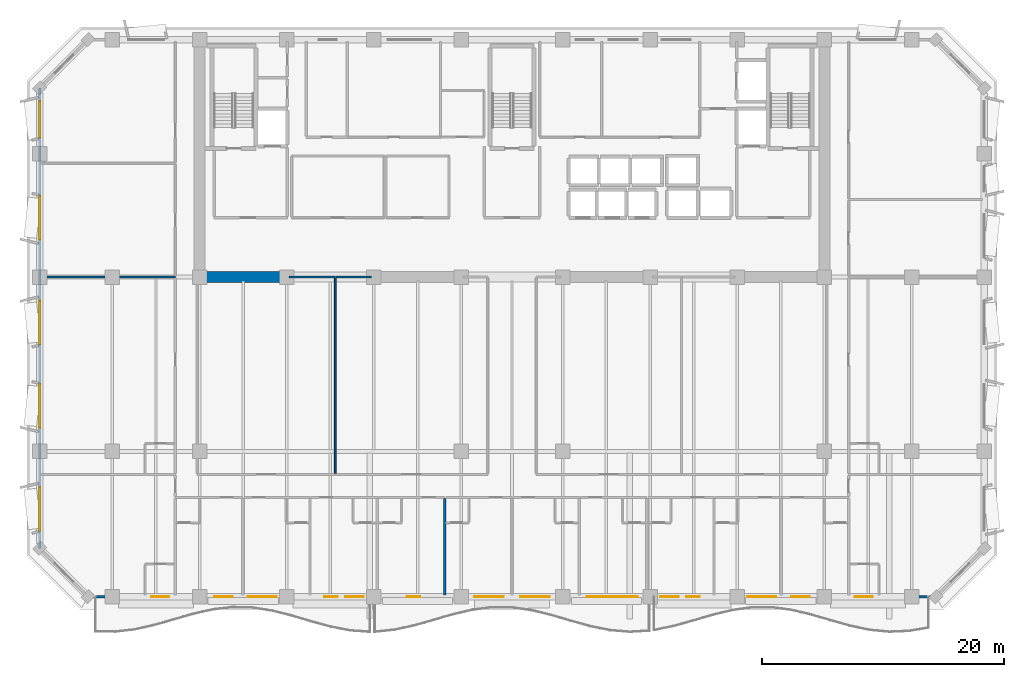
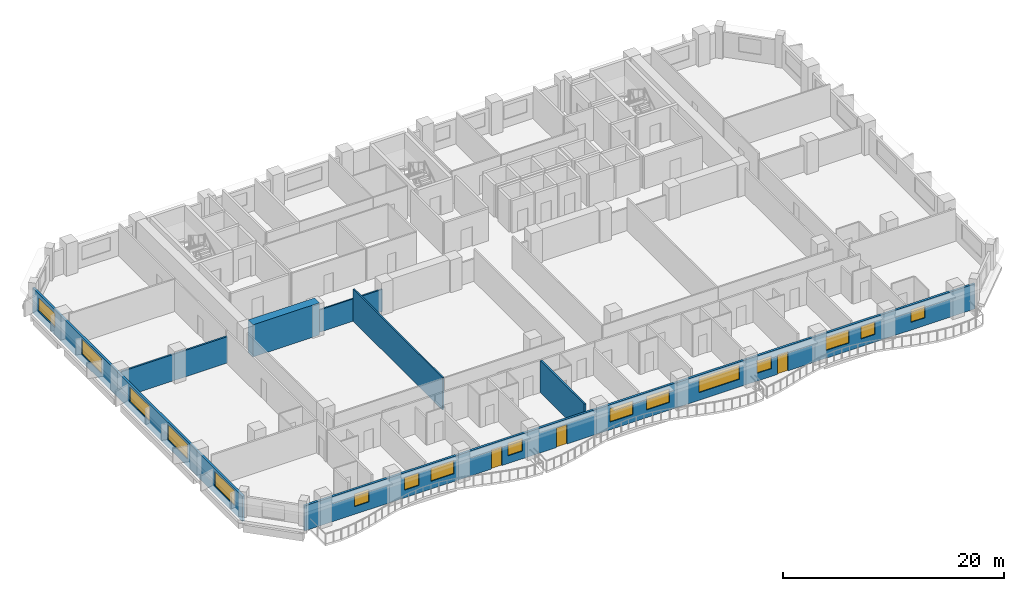
# One storey, part 5 of 15: 16 windows, 8 walls, 3 doors, 19 openings.
"""IFC4 building model written with IfcOpenShell, lengths in metres."""

import ifcopenshell
import ifcopenshell.guid

model = None  # the IFC model being written
_history = None  # IfcOwnerHistory: only IFC2X3 demands one
_inside = {}  # id of a spatial element -> (the spatial element, [elements in it])
_under = {}  # id of a project, library or spatial element -> (it, [spatial elements below it])
_declared = {}  # id of a project -> (the project, [libraries it declares])
_typed = {}  # id of a type object -> (the type object, [elements of that type])
_made_of = {}  # id of a material, layer set ... -> (it, [elements and type objects made of it])


def new_model(schema):
    """Start an empty IFC model of exactly this schema.

    Asked for "IFC4X3", IfcOpenShell would pick the latest addendum, in which some entities
    have other attributes; the version numbers below select the first issue.
    IFC2X3 requires an IfcOwnerHistory on every rooted entity: one is made here for all.
    """
    global model, _history
    if schema == "IFC4X3":
        model = ifcopenshell.file(schema_version=(4, 3, 0, 0))
    else:
        model = ifcopenshell.file(schema=schema)
    _inside.clear()
    _under.clear()
    _declared.clear()
    _typed.clear()
    _made_of.clear()
    _history = None
    if model.schema == "IFC2X3":
        org = make("IfcOrganization", Name="unknown")
        user = make(
            "IfcPersonAndOrganization",
            ThePerson=make("IfcPerson", FamilyName="unknown"),
            TheOrganization=org,
        )
        app = make(
            "IfcApplication",
            ApplicationDeveloper=org,
            Version="unknown",
            ApplicationFullName="unknown",
            ApplicationIdentifier="unknown",
        )
        _history = make(
            "IfcOwnerHistory",
            OwningUser=user,
            OwningApplication=app,
            ChangeAction="ADDED",
            CreationDate=0,
        )
    return model


def make(cls, **values):
    """One entity of the class cls with the attributes given. An attribute that is None is left unset."""
    return model.create_entity(
        cls, **{name: value for name, value in values.items() if value is not None}
    )


def rooted(cls, **values):
    """An entity with a GlobalId (a new one), such as an element, a storey or a relation."""
    return make(cls, GlobalId=ifcopenshell.guid.new(), OwnerHistory=_history, **values)


def si_unit(unit_type, name, prefix=None):
    """IfcSIUnit, for example si_unit("LENGTHUNIT", "METRE", prefix="MILLI")."""
    return make("IfcSIUnit", UnitType=unit_type, Prefix=prefix, Name=name)


def assignment(units):
    """IfcUnitAssignment: the units of a project."""
    return None if units is None else make("IfcUnitAssignment", Units=units)


def point(xyz):
    """IfcCartesianPoint."""
    return None if xyz is None else make("IfcCartesianPoint", Coordinates=xyz)


def direction(xyz):
    """IfcDirection."""
    return None if xyz is None else make("IfcDirection", DirectionRatios=xyz)


def frame(location, z_axis=None, x_axis=None):
    """IfcAxis2Placement3D, a coordinate frame: its origin and axes. An axis left out is left unset."""
    return make(
        "IfcAxis2Placement3D",
        Location=point(location),
        Axis=direction(z_axis),
        RefDirection=direction(x_axis),
    )


def frame_2d(location, x_axis=None):
    """IfcAxis2Placement2D, a coordinate frame in the plane: its origin and x axis."""
    return make(
        "IfcAxis2Placement2D", Location=point(location), RefDirection=direction(x_axis)
    )


def origin():
    """The frame at (0, 0, 0) with its axes left unset."""
    return frame((0.0, 0.0, 0.0))


def place(relative_to, where):
    """IfcLocalPlacement: puts the frame where relative to a parent placement (None: the world)."""
    return make(
        "IfcLocalPlacement", PlacementRelTo=relative_to, RelativePlacement=where
    )


def context(
    kind, dimensions, precision=None, world=None, true_north=None, identifier=None
):
    """IfcGeometricRepresentationContext, for example the 3D "Model" context."""
    return make(
        "IfcGeometricRepresentationContext",
        ContextIdentifier=identifier,
        ContextType=kind,
        CoordinateSpaceDimension=dimensions,
        Precision=precision,
        WorldCoordinateSystem=world,
        TrueNorth=true_north,
    )


def subcontext(parent, identifier, kind, view, scale=None):
    """IfcGeometricRepresentationSubContext, for example "Body" below "Model"."""
    return make(
        "IfcGeometricRepresentationSubContext",
        ContextIdentifier=identifier,
        ContextType=kind,
        ParentContext=parent,
        TargetScale=scale,
        TargetView=view,
    )


def project(units=None, contexts=None):
    """IfcProject with its units and contexts."""
    return rooted(
        "IfcProject",
        Name="project",
        RepresentationContexts=contexts,
        UnitsInContext=assignment(units),
    )


def spatial(cls, under=None, at=None, **own):
    """A site, building, storey or space (cls), placed at a placement, below another one or the project."""
    s = rooted(cls, ObjectPlacement=at, **own)
    if under is not None:
        _under.setdefault(under.id(), (under, []))[1].append(s)
    return s


def profile(cls, at=None, kind="AREA", **sizes):
    """A parametric profile (cls). Its sizes go by their IFC names, for example OverallWidth=200.0."""
    return make(cls, ProfileType=kind, Position=at, **sizes)


def rectangle(**sizes):
    """IfcRectangleProfileDef."""
    return profile("IfcRectangleProfileDef", **sizes)


def extrude(swept, where, along, depth):
    """IfcExtrudedAreaSolid: the profile swept, set in the frame where, extruded along a direction by depth."""
    return make(
        "IfcExtrudedAreaSolid",
        SweptArea=swept,
        Position=where,
        ExtrudedDirection=direction(along),
        Depth=depth,
    )


def shape(context_of_items, identifier, shape_type, items):
    """IfcShapeRepresentation: the items that make up one representation, for example the "Body"."""
    return make(
        "IfcShapeRepresentation",
        ContextOfItems=context_of_items,
        RepresentationIdentifier=identifier,
        RepresentationType=shape_type,
        Items=items,
    )


def material(Name=None, Category=None):
    """IfcMaterial."""
    return make("IfcMaterial", Name=Name, Category=Category)


def layer(
    of_material, thickness, ventilated=None, Name=None, Category=None, Priority=None
):
    """IfcMaterialLayer: one layer of a wall or slab, of a material (None: an air gap)."""
    return make(
        "IfcMaterialLayer",
        Material=of_material,
        LayerThickness=thickness,
        IsVentilated=ventilated,
        Name=Name,
        Category=Category,
        Priority=Priority,
    )


def layer_set(layers, Name=None):
    """IfcMaterialLayerSet."""
    return make("IfcMaterialLayerSet", MaterialLayers=layers, LayerSetName=Name)


def made_of(thing, what):
    """Note that an element or type object is made of a material, layer set ...; save() writes the relation."""
    if what is not None:
        _made_of.setdefault(what.id(), (what, []))[1].append(thing)
    return thing


def type_object(cls, material=None, **own):
    """A type object (cls), such as IfcWallType, which elements share."""
    return made_of(rooted(cls, **own), material)


def element(
    cls,
    number,
    at=None,
    inside=None,
    cuts=None,
    type_object=None,
    material=None,
    context=None,
    identifier="Body",
    shape_type=None,
    held_by="IfcProductDefinitionShape",
    body=None,
    shapes=None,
    **own,
):
    """One element of the class cls, such as IfcWall. Its Tag is "e" and its number.

    at: its placement. inside: the storey or other place that contains it. cuts: it is an
    opening in that element (IfcRelVoidsElement). A single representation is given by context,
    identifier, shape_type and body (its items); several are given by shapes. held_by: the class
    of the entity that holds the representations. save() writes the other relations.
    """
    e = rooted(cls, Tag="e%d" % number, ObjectPlacement=at, **own)
    if body is not None:
        shapes = [shape(context, identifier, shape_type, body)]
    if shapes is not None:
        e.Representation = make(held_by, Representations=shapes)
    if inside is not None:
        _inside.setdefault(inside.id(), (inside, []))[1].append(e)
    if cuts is not None:
        rooted(
            "IfcRelVoidsElement", RelatingBuildingElement=cuts, RelatedOpeningElement=e
        )
    if type_object is not None:
        _typed.setdefault(type_object.id(), (type_object, []))[1].append(e)
    return made_of(e, material)


def fill(opening, filler):
    """IfcRelFillsElement: the door or window that sits in an opening."""
    return rooted(
        "IfcRelFillsElement",
        RelatingOpeningElement=opening,
        RelatedBuildingElement=filler,
    )


def aggregate(whole, parts):
    """IfcRelAggregates: a whole, such as a stair, and the parts it consists of."""
    return rooted("IfcRelAggregates", RelatingObject=whole, RelatedObjects=parts)


def save(model, path):
    """Write the relations noted so far, then the file.

    IfcRelAggregates (storeys below a building ...), IfcRelContainedInSpatialStructure (elements
    in a storey), IfcRelDefinesByType, IfcRelAssociatesMaterial and IfcRelDeclares: one each for
    every whole, place, type object, material and project.
    """
    for whole, parts in _under.values():
        aggregate(whole, parts)
    for where, things in _inside.values():
        rooted(
            "IfcRelContainedInSpatialStructure",
            RelatedElements=things,
            RelatingStructure=where,
        )
    for kind, things in _typed.values():
        rooted("IfcRelDefinesByType", RelatedObjects=things, RelatingType=kind)
    for what, things in _made_of.values():
        rooted("IfcRelAssociatesMaterial", RelatedObjects=things, RelatingMaterial=what)
    for by, libraries in _declared.values():
        rooted("IfcRelDeclares", RelatingContext=by, RelatedDefinitions=libraries)
    model.write(path)


model = new_model("IFC4")

# Units and contexts
model_context = context("Model", 3, precision=1e-05, world=origin(), true_north=direction((0.0, 1.0)))
body_context = subcontext(model_context, "Body", "Model", "MODEL_VIEW")
ifc_project = project(units=[si_unit("LENGTHUNIT", "METRE"), si_unit("AREAUNIT", "SQUARE_METRE"), si_unit("VOLUMEUNIT", "CUBIC_METRE"), si_unit("PLANEANGLEUNIT", "RADIAN"), si_unit("MASSUNIT", "GRAM", prefix="KILO")], contexts=[model_context])

# Site, building, storey
site_placement = place(None, origin())
site = spatial("IfcSite", under=ifc_project, at=site_placement, CompositionType="ELEMENT")
building_placement = place(site_placement, origin())
building = spatial("IfcBuilding", under=site, at=building_placement, Name="Kaelvorn Grand Hotel", CompositionType="ELEMENT")
storey_placement = place(building_placement, frame((0.0, 0.0, 146.75)))
storey = spatial("IfcBuildingStorey", under=building, at=storey_placement, Name="L35", CompositionType="ELEMENT", Elevation=146.75)

# Wall
ifc_material_1 = material(Name="Concrete C60/75", Category="concrete")
ifc_layer_1 = layer(ifc_material_1, 0.89990234375)
ifc_layer_set_1 = layer_set([ifc_layer_1], Name="Concrete C60/75")
wall_type_1 = type_object("IfcWallType", Name="WL-CORE-900-C60", PredefinedType="SHEAR", material=ifc_layer_set_1)
wall_1_placement = place(storey_placement, frame((16.655029296875, 29.39990234375, 0.0), z_axis=(0.0, 0.0, 1.0), x_axis=(1.0, 0.0, 0.0)))
element("IfcWall", 1, at=wall_1_placement, inside=storey, type_object=wall_type_1, Name="L35 Rear-Core Coupled Shear Pier S1", PredefinedType="SHEAR", context=body_context, shape_type="SweptSolid", body=[
    extrude(rectangle(XDim=6.945068359375, YDim=0.89990234375, at=frame_2d((3.47265625, 0.0))), origin(), (0.0, 0.0, 1.0), 3.56005859375),
])

# Wall, openings, doors, windows
ifc_material_2 = material(Name="Concrete C40/50", Category="concrete")
ifc_layer_2 = layer(ifc_material_2, 0.239990234375)
ifc_layer_set_2 = layer_set([ifc_layer_2], Name="Concrete C40/50")
wall_type_2 = type_object("IfcWallType", Name="WL-EXT-240-C40", PredefinedType="SOLIDWALL", material=ifc_layer_set_2)
wall_2_placement = place(storey_placement, frame((7.0, 3.0, 0.0), z_axis=(0.0, 0.0, 1.0), x_axis=(1.0, 0.0, 0.0)))
wall_2 = element("IfcWall", 2, at=wall_2_placement, inside=storey, type_object=wall_type_2, Name="L35 Exterior Architectural Concrete Wall 01", PredefinedType="SOLIDWALL", context=body_context, shape_type="SweptSolid", body=[
    extrude(rectangle(XDim=70.0, YDim=0.239990234375, at=frame_2d((35.0, 0.0))), origin(), (0.0, 0.0, 1.0), 2.760009765625),
])
opening_1_placement = place(wall_2_placement, frame((19.5166015625, 0.0, 0.0)))
opening_1 = element("IfcOpeningElement", 3, at=opening_1_placement, cuts=wall_2, Name="Opening DE2", PredefinedType="OPENING", context=body_context, shape_type="SweptSolid", body=[
    extrude(rectangle(XDim=1.10009765625, YDim=2.14990234375, at=frame_2d((0.550048828125, 1.074951171875))), frame((0.0, 0.1298828125, 0.0), z_axis=(0.0, -1.0, 0.0), x_axis=(1.0, 0.0, 0.0)), (0.0, 0.0, 1.0), 0.260009765625),
])
opening_2_placement = place(wall_2_placement, frame((26.316650390625, 0.0, 0.0)))
opening_2 = element("IfcOpeningElement", 4, at=opening_2_placement, cuts=wall_2, Name="Opening DE2", PredefinedType="OPENING", context=body_context, shape_type="SweptSolid", body=[
    extrude(rectangle(XDim=1.10009765625, YDim=2.14990234375, at=frame_2d((0.550048828125, 1.074951171875))), frame((0.0, 0.1298828125, 0.0), z_axis=(0.0, -1.0, 0.0), x_axis=(1.0, 0.0, 0.0)), (0.0, 0.0, 1.0), 0.260009765625),
])
opening_3_placement = place(wall_2_placement, frame((49.38330078125, 0.0, 0.0)))
opening_3 = element("IfcOpeningElement", 5, at=opening_3_placement, cuts=wall_2, Name="Opening DE2", PredefinedType="OPENING", context=body_context, shape_type="SweptSolid", body=[
    extrude(rectangle(XDim=1.10009765625, YDim=2.14990234375, at=frame_2d((0.550048828125, 1.074951171875))), frame((0.0, 0.1298828125, 0.0), z_axis=(0.0, -1.0, 0.0), x_axis=(1.0, 0.0, 0.0)), (0.0, 0.0, 1.0), 0.260009765625),
])
opening_4_placement = place(wall_2_placement, frame((5.199951171875, 0.0, 0.85009765625)))
opening_4 = element("IfcOpeningElement", 6, at=opening_4_placement, cuts=wall_2, Name="Opening W10", PredefinedType="OPENING", context=body_context, shape_type="SweptSolid", body=[
    extrude(rectangle(XDim=1.5, YDim=1.39990234375, at=frame_2d((0.75, 0.699951171875))), frame((0.0, 0.1298828125, 0.0), z_axis=(0.0, -1.0, 0.0), x_axis=(1.0, 0.0, 0.0)), (0.0, 0.0, 1.0), 0.260009765625),
])
opening_5_placement = place(wall_2_placement, frame((10.429931640625, 0.0, 0.85009765625)))
opening_5 = element("IfcOpeningElement", 7, at=opening_5_placement, cuts=wall_2, Name="Opening W10", PredefinedType="OPENING", context=body_context, shape_type="SweptSolid", body=[
    extrude(rectangle(XDim=1.5, YDim=1.39990234375, at=frame_2d((0.75, 0.699951171875))), frame((0.0, 0.1298828125, 0.0), z_axis=(0.0, -1.0, 0.0), x_axis=(1.0, 0.0, 0.0)), (0.0, 0.0, 1.0), 0.260009765625),
])
opening_6_placement = place(wall_2_placement, frame((13.179931640625, 0.0, 0.85009765625)))
opening_6 = element("IfcOpeningElement", 8, at=opening_6_placement, cuts=wall_2, Name="Opening W6", PredefinedType="OPENING", context=body_context, shape_type="SweptSolid", body=[
    extrude(rectangle(XDim=2.39990234375, YDim=1.5, at=frame_2d((1.199951171875, 0.75))), frame((0.0, 0.1298828125, 0.0), z_axis=(0.0, -1.0, 0.0), x_axis=(1.0, 0.0, 0.0)), (0.0, 0.0, 1.0), 0.260009765625),
])
opening_7_placement = place(wall_2_placement, frame((21.243408203125, 0.0, 0.85009765625)))
opening_7 = element("IfcOpeningElement", 9, at=opening_7_placement, cuts=wall_2, Name="Opening W10", PredefinedType="OPENING", context=body_context, shape_type="SweptSolid", body=[
    extrude(rectangle(XDim=1.5, YDim=1.39990234375, at=frame_2d((0.75, 0.699951171875))), frame((0.0, 0.1298828125, 0.0), z_axis=(0.0, -1.0, 0.0), x_axis=(1.0, 0.0, 0.0)), (0.0, 0.0, 1.0), 0.260009765625),
])
opening_8_placement = place(wall_2_placement, frame((31.89990234375, 0.0, 0.85009765625)))
opening_8 = element("IfcOpeningElement", 10, at=opening_8_placement, cuts=wall_2, Name="Opening W6", PredefinedType="OPENING", context=body_context, shape_type="SweptSolid", body=[
    extrude(rectangle(XDim=2.39990234375, YDim=1.5, at=frame_2d((1.199951171875, 0.75))), frame((0.0, 0.1298828125, 0.0), z_axis=(0.0, -1.0, 0.0), x_axis=(1.0, 0.0, 0.0)), (0.0, 0.0, 1.0), 0.260009765625),
])
opening_9_placement = place(wall_2_placement, frame((35.699951171875, 0.0, 0.85009765625)))
opening_9 = element("IfcOpeningElement", 11, at=opening_9_placement, cuts=wall_2, Name="Opening W6", PredefinedType="OPENING", context=body_context, shape_type="SweptSolid", body=[
    extrude(rectangle(XDim=2.39990234375, YDim=1.5, at=frame_2d((1.199951171875, 0.75))), frame((0.0, 0.1298828125, 0.0), z_axis=(0.0, -1.0, 0.0), x_axis=(1.0, 0.0, 0.0)), (0.0, 0.0, 1.0), 0.260009765625),
])
opening_10_placement = place(wall_2_placement, frame((41.179931640625, 0.0, 0.85009765625)))
opening_10 = element("IfcOpeningElement", 12, at=opening_10_placement, cuts=wall_2, Name="Opening W2", PredefinedType="OPENING", context=body_context, shape_type="SweptSolid", body=[
    extrude(rectangle(XDim=4.199951171875, YDim=1.64990234375, at=frame_2d((2.10009765625, 0.824951171875))), frame((0.0, 0.1298828125, 0.0), z_axis=(0.0, -1.0, 0.0), x_axis=(1.0, 0.0, 0.0)), (0.0, 0.0, 1.0), 0.260009765625),
])
opening_11_placement = place(wall_2_placement, frame((47.256591796875, 0.0, 0.85009765625)))
opening_11 = element("IfcOpeningElement", 13, at=opening_11_placement, cuts=wall_2, Name="Opening W10", PredefinedType="OPENING", context=body_context, shape_type="SweptSolid", body=[
    extrude(rectangle(XDim=1.5, YDim=1.39990234375, at=frame_2d((0.75, 0.699951171875))), frame((0.0, 0.1298828125, 0.0), z_axis=(0.0, -1.0, 0.0), x_axis=(1.0, 0.0, 0.0)), (0.0, 0.0, 1.0), 0.260009765625),
])
opening_12_placement = place(wall_2_placement, frame((54.419921875, 0.0, 0.85009765625)))
opening_12 = element("IfcOpeningElement", 14, at=opening_12_placement, cuts=wall_2, Name="Opening W6", PredefinedType="OPENING", context=body_context, shape_type="SweptSolid", body=[
    extrude(rectangle(XDim=2.39990234375, YDim=1.5, at=frame_2d((1.199951171875, 0.75))), frame((0.0, 0.1298828125, 0.0), z_axis=(0.0, -1.0, 0.0), x_axis=(1.0, 0.0, 0.0)), (0.0, 0.0, 1.0), 0.260009765625),
])
opening_13_placement = place(wall_2_placement, frame((58.070068359375, 0.0, 0.85009765625)))
opening_13 = element("IfcOpeningElement", 15, at=opening_13_placement, cuts=wall_2, Name="Opening W10", PredefinedType="OPENING", context=body_context, shape_type="SweptSolid", body=[
    extrude(rectangle(XDim=1.5, YDim=1.39990234375, at=frame_2d((0.75, 0.699951171875))), frame((0.0, 0.1298828125, 0.0), z_axis=(0.0, -1.0, 0.0), x_axis=(1.0, 0.0, 0.0)), (0.0, 0.0, 1.0), 0.260009765625),
])
opening_14_placement = place(wall_2_placement, frame((63.300048828125, 0.0, 0.85009765625)))
opening_14 = element("IfcOpeningElement", 16, at=opening_14_placement, cuts=wall_2, Name="Opening W10", PredefinedType="OPENING", context=body_context, shape_type="SweptSolid", body=[
    extrude(rectangle(XDim=1.5, YDim=1.39990234375, at=frame_2d((0.75, 0.699951171875))), frame((0.0, 0.1298828125, 0.0), z_axis=(0.0, -1.0, 0.0), x_axis=(1.0, 0.0, 0.0)), (0.0, 0.0, 1.0), 0.260009765625),
])
ifc_material_3 = material(Name="Anodised Aluminium", Category="aluminium")
door_type = type_object("IfcDoorType", Name="DR-EXT-BALC-1100x2150", OperationType="NOTDEFINED", PredefinedType="DOOR", material=ifc_material_3)
door_1_placement = place(opening_1_placement, origin())
door_1 = element("IfcDoor", 17, at=door_1_placement, inside=storey, type_object=door_type, Name="L35 Scalloped Balcony Glazed Door DE2-1", OperationType="SINGLE_SWING_LEFT", OverallHeight=2.14990234375, OverallWidth=1.10009765625, PredefinedType="DOOR", context=body_context, shape_type="SweptSolid", body=[
    extrude(rectangle(XDim=1.10009765625, YDim=2.14990234375, at=frame_2d((0.550048828125, 1.074951171875))), frame((0.0, 0.02490234375, 0.0), z_axis=(0.0, -1.0, 0.0), x_axis=(1.0, 0.0, 0.0)), (0.0, 0.0, 1.0), 0.050048828125),
])
fill(opening_1, door_1)
door_2_placement = place(opening_2_placement, origin())
door_2 = element("IfcDoor", 18, at=door_2_placement, inside=storey, type_object=door_type, Name="L35 Scalloped Balcony Glazed Door DE2-2", OperationType="SINGLE_SWING_RIGHT", OverallHeight=2.14990234375, OverallWidth=1.10009765625, PredefinedType="DOOR", context=body_context, shape_type="SweptSolid", body=[
    extrude(rectangle(XDim=1.10009765625, YDim=2.14990234375, at=frame_2d((0.550048828125, 1.074951171875))), frame((0.0, 0.02490234375, 0.0), z_axis=(0.0, -1.0, 0.0), x_axis=(1.0, 0.0, 0.0)), (0.0, 0.0, 1.0), 0.050048828125),
])
fill(opening_2, door_2)
door_3_placement = place(opening_3_placement, origin())
door_3 = element("IfcDoor", 19, at=door_3_placement, inside=storey, type_object=door_type, Name="L35 Scalloped Balcony Glazed Door DE2-3", OperationType="SINGLE_SWING_LEFT", OverallHeight=2.14990234375, OverallWidth=1.10009765625, PredefinedType="DOOR", context=body_context, shape_type="SweptSolid", body=[
    extrude(rectangle(XDim=1.10009765625, YDim=2.14990234375, at=frame_2d((0.550048828125, 1.074951171875))), frame((0.0, 0.02490234375, 0.0), z_axis=(0.0, -1.0, 0.0), x_axis=(1.0, 0.0, 0.0)), (0.0, 0.0, 1.0), 0.050048828125),
])
fill(opening_3, door_3)
ifc_material_4 = material(Name="Laminated Low-E Glass", Category="glass")
window_type_1 = type_object("IfcWindowType", Name="WIN-COR-1500x1400", PartitioningType="SINGLE_PANEL", PredefinedType="WINDOW", material=ifc_material_4)
window_1_placement = place(opening_4_placement, origin())
window_1 = element("IfcWindow", 20, at=window_1_placement, inside=storey, type_object=window_type_1, Name="L35 South Guestroom Ribbon Window SR01", OverallHeight=1.39990234375, OverallWidth=1.5, PartitioningType="SINGLE_PANEL", PredefinedType="WINDOW", context=body_context, shape_type="SweptSolid", body=[
    extrude(rectangle(XDim=1.5, YDim=1.39990234375, at=frame_2d((0.75, 0.699951171875))), frame((0.0, 0.030029296875, 0.0), z_axis=(0.0, -1.0, 0.0), x_axis=(1.0, 0.0, 0.0)), (0.0, 0.0, 1.0), 0.06005859375),
])
fill(opening_4, window_1)
window_2_placement = place(opening_5_placement, origin())
window_2 = element("IfcWindow", 21, at=window_2_placement, inside=storey, type_object=window_type_1, Name="L35 South Guestroom Ribbon Window SR02", OverallHeight=1.39990234375, OverallWidth=1.5, PartitioningType="SINGLE_PANEL", PredefinedType="WINDOW", context=body_context, shape_type="SweptSolid", body=[
    extrude(rectangle(XDim=1.5, YDim=1.39990234375, at=frame_2d((0.75, 0.699951171875))), frame((0.0, 0.030029296875, 0.0), z_axis=(0.0, -1.0, 0.0), x_axis=(1.0, 0.0, 0.0)), (0.0, 0.0, 1.0), 0.06005859375),
])
fill(opening_5, window_2)
window_3_placement = place(opening_7_placement, origin())
window_3 = element("IfcWindow", 22, at=window_3_placement, inside=storey, type_object=window_type_1, Name="L35 South Guestroom Ribbon Window SR04", OverallHeight=1.39990234375, OverallWidth=1.5, PartitioningType="SINGLE_PANEL", PredefinedType="WINDOW", context=body_context, shape_type="SweptSolid", body=[
    extrude(rectangle(XDim=1.5, YDim=1.39990234375, at=frame_2d((0.75, 0.699951171875))), frame((0.0, 0.030029296875, 0.0), z_axis=(0.0, -1.0, 0.0), x_axis=(1.0, 0.0, 0.0)), (0.0, 0.0, 1.0), 0.06005859375),
])
fill(opening_7, window_3)
window_4_placement = place(opening_11_placement, origin())
window_4 = element("IfcWindow", 23, at=window_4_placement, inside=storey, type_object=window_type_1, Name="L35 South Guestroom Ribbon Window SR08", OverallHeight=1.39990234375, OverallWidth=1.5, PartitioningType="SINGLE_PANEL", PredefinedType="WINDOW", context=body_context, shape_type="SweptSolid", body=[
    extrude(rectangle(XDim=1.5, YDim=1.39990234375, at=frame_2d((0.75, 0.699951171875))), frame((0.0, 0.030029296875, 0.0), z_axis=(0.0, -1.0, 0.0), x_axis=(1.0, 0.0, 0.0)), (0.0, 0.0, 1.0), 0.06005859375),
])
fill(opening_11, window_4)
window_5_placement = place(opening_13_placement, origin())
window_5 = element("IfcWindow", 24, at=window_5_placement, inside=storey, type_object=window_type_1, Name="L35 South Guestroom Ribbon Window SR10", OverallHeight=1.39990234375, OverallWidth=1.5, PartitioningType="SINGLE_PANEL", PredefinedType="WINDOW", context=body_context, shape_type="SweptSolid", body=[
    extrude(rectangle(XDim=1.5, YDim=1.39990234375, at=frame_2d((0.75, 0.699951171875))), frame((0.0, 0.030029296875, 0.0), z_axis=(0.0, -1.0, 0.0), x_axis=(1.0, 0.0, 0.0)), (0.0, 0.0, 1.0), 0.06005859375),
])
fill(opening_13, window_5)
window_6_placement = place(opening_14_placement, origin())
window_6 = element("IfcWindow", 25, at=window_6_placement, inside=storey, type_object=window_type_1, Name="L35 South Guestroom Ribbon Window SR11", OverallHeight=1.39990234375, OverallWidth=1.5, PartitioningType="SINGLE_PANEL", PredefinedType="WINDOW", context=body_context, shape_type="SweptSolid", body=[
    extrude(rectangle(XDim=1.5, YDim=1.39990234375, at=frame_2d((0.75, 0.699951171875))), frame((0.0, 0.030029296875, 0.0), z_axis=(0.0, -1.0, 0.0), x_axis=(1.0, 0.0, 0.0)), (0.0, 0.0, 1.0), 0.06005859375),
])
fill(opening_14, window_6)
window_type_2 = type_object("IfcWindowType", Name="WIN-NTH-2400x1500", PartitioningType="SINGLE_PANEL", PredefinedType="WINDOW", material=ifc_material_4)
window_7_placement = place(opening_6_placement, origin())
window_7 = element("IfcWindow", 26, at=window_7_placement, inside=storey, type_object=window_type_2, Name="L35 South Guestroom Ribbon Window SR03", OverallHeight=1.5, OverallWidth=2.39990234375, PartitioningType="SINGLE_PANEL", PredefinedType="WINDOW", context=body_context, shape_type="SweptSolid", body=[
    extrude(rectangle(XDim=2.39990234375, YDim=1.5, at=frame_2d((1.199951171875, 0.75))), frame((0.0, 0.030029296875, 0.0), z_axis=(0.0, -1.0, 0.0), x_axis=(1.0, 0.0, 0.0)), (0.0, 0.0, 1.0), 0.06005859375),
])
fill(opening_6, window_7)
window_8_placement = place(opening_8_placement, origin())
window_8 = element("IfcWindow", 27, at=window_8_placement, inside=storey, type_object=window_type_2, Name="L35 South Guestroom Ribbon Window SR05", OverallHeight=1.5, OverallWidth=2.39990234375, PartitioningType="SINGLE_PANEL", PredefinedType="WINDOW", context=body_context, shape_type="SweptSolid", body=[
    extrude(rectangle(XDim=2.39990234375, YDim=1.5, at=frame_2d((1.199951171875, 0.75))), frame((0.0, 0.030029296875, 0.0), z_axis=(0.0, -1.0, 0.0), x_axis=(1.0, 0.0, 0.0)), (0.0, 0.0, 1.0), 0.06005859375),
])
fill(opening_8, window_8)
window_9_placement = place(opening_9_placement, origin())
window_9 = element("IfcWindow", 28, at=window_9_placement, inside=storey, type_object=window_type_2, Name="L35 South Guestroom Ribbon Window SR06", OverallHeight=1.5, OverallWidth=2.39990234375, PartitioningType="SINGLE_PANEL", PredefinedType="WINDOW", context=body_context, shape_type="SweptSolid", body=[
    extrude(rectangle(XDim=2.39990234375, YDim=1.5, at=frame_2d((1.199951171875, 0.75))), frame((0.0, 0.030029296875, 0.0), z_axis=(0.0, -1.0, 0.0), x_axis=(1.0, 0.0, 0.0)), (0.0, 0.0, 1.0), 0.06005859375),
])
fill(opening_9, window_9)
window_10_placement = place(opening_12_placement, origin())
window_10 = element("IfcWindow", 29, at=window_10_placement, inside=storey, type_object=window_type_2, Name="L35 South Guestroom Ribbon Window SR09", OverallHeight=1.5, OverallWidth=2.39990234375, PartitioningType="SINGLE_PANEL", PredefinedType="WINDOW", context=body_context, shape_type="SweptSolid", body=[
    extrude(rectangle(XDim=2.39990234375, YDim=1.5, at=frame_2d((1.199951171875, 0.75))), frame((0.0, 0.030029296875, 0.0), z_axis=(0.0, -1.0, 0.0), x_axis=(1.0, 0.0, 0.0)), (0.0, 0.0, 1.0), 0.06005859375),
])
fill(opening_12, window_10)
window_type_3 = type_object("IfcWindowType", Name="WIN-RIB-4200x1650", PartitioningType="SINGLE_PANEL", PredefinedType="WINDOW", material=ifc_material_4)
window_11_placement = place(opening_10_placement, origin())
window_11 = element("IfcWindow", 30, at=window_11_placement, inside=storey, type_object=window_type_3, Name="L35 South Guestroom Ribbon Window SR07", OverallHeight=1.64990234375, OverallWidth=4.199951171875, PartitioningType="SINGLE_PANEL", PredefinedType="WINDOW", context=body_context, shape_type="SweptSolid", body=[
    extrude(rectangle(XDim=4.199951171875, YDim=1.64990234375, at=frame_2d((2.10009765625, 0.824951171875))), frame((0.0, 0.030029296875, 0.0), z_axis=(0.0, -1.0, 0.0), x_axis=(1.0, 0.0, 0.0)), (0.0, 0.0, 1.0), 0.06005859375),
])
fill(opening_10, window_11)

# Wall, openings, windows
wall_3_placement = place(storey_placement, frame((3.0, 45.0, 0.0), z_axis=(0.0, 0.0, 1.0), x_axis=(0.0, -1.0, 0.0)))
wall_3 = element("IfcWall", 31, at=wall_3_placement, inside=storey, type_object=wall_type_2, Name="L35 Exterior Architectural Concrete Wall 07", PredefinedType="SOLIDWALL", context=body_context, shape_type="SweptSolid", body=[
    extrude(rectangle(XDim=38.0, YDim=0.239990234375, at=frame_2d((19.0, 0.0))), origin(), (0.0, 0.0, 1.0), 2.760009765625),
])
opening_15_placement = place(wall_3_placement, frame((32.949951171875, 0.0, 0.85009765625)))
opening_15 = element("IfcOpeningElement", 32, at=opening_15_placement, cuts=wall_3, Name="Opening W3", PredefinedType="OPENING", context=body_context, shape_type="SweptSolid", body=[
    extrude(rectangle(XDim=3.60009765625, YDim=1.64990234375, at=frame_2d((1.800048828125, 0.824951171875))), frame((0.0, 0.1298828125, 0.0), z_axis=(0.0, -1.0, 0.0), x_axis=(1.0, 0.0, 0.0)), (0.0, 0.0, 1.0), 0.260009765625),
])
opening_16_placement = place(wall_3_placement, frame((24.43505859375, 0.0, 0.85009765625)))
opening_16 = element("IfcOpeningElement", 33, at=opening_16_placement, cuts=wall_3, Name="Opening W3", PredefinedType="OPENING", context=body_context, shape_type="SweptSolid", body=[
    extrude(rectangle(XDim=3.60009765625, YDim=1.64990234375, at=frame_2d((1.800048828125, 0.824951171875))), frame((0.0, 0.1298828125, 0.0), z_axis=(0.0, -1.0, 0.0), x_axis=(1.0, 0.0, 0.0)), (0.0, 0.0, 1.0), 0.260009765625),
])
opening_17_placement = place(wall_3_placement, frame((17.56494140625, 0.0, 0.85009765625)))
opening_17 = element("IfcOpeningElement", 34, at=opening_17_placement, cuts=wall_3, Name="Opening W3", PredefinedType="OPENING", context=body_context, shape_type="SweptSolid", body=[
    extrude(rectangle(XDim=3.60009765625, YDim=1.64990234375, at=frame_2d((1.800048828125, 0.824951171875))), frame((0.0, 0.1298828125, 0.0), z_axis=(0.0, -1.0, 0.0), x_axis=(1.0, 0.0, 0.0)), (0.0, 0.0, 1.0), 0.260009765625),
])
opening_18_placement = place(wall_3_placement, frame((8.89990234375, 0.0, 0.85009765625)))
opening_18 = element("IfcOpeningElement", 35, at=opening_18_placement, cuts=wall_3, Name="Opening W3", PredefinedType="OPENING", context=body_context, shape_type="SweptSolid", body=[
    extrude(rectangle(XDim=3.60009765625, YDim=1.64990234375, at=frame_2d((1.800048828125, 0.824951171875))), frame((0.0, 0.1298828125, 0.0), z_axis=(0.0, -1.0, 0.0), x_axis=(1.0, 0.0, 0.0)), (0.0, 0.0, 1.0), 0.260009765625),
])
opening_19_placement = place(wall_3_placement, frame((1.0849609375, 0.0, 0.85009765625)))
opening_19 = element("IfcOpeningElement", 36, at=opening_19_placement, cuts=wall_3, Name="Opening W5", PredefinedType="OPENING", context=body_context, shape_type="SweptSolid", body=[
    extrude(rectangle(XDim=3.0, YDim=1.5, at=frame_2d((1.5, 0.75))), frame((0.0, 0.1298828125, 0.0), z_axis=(0.0, -1.0, 0.0), x_axis=(1.0, 0.0, 0.0)), (0.0, 0.0, 1.0), 0.260009765625),
])
window_type_4 = type_object("IfcWindowType", Name="WIN-NTH-3000x1500", PartitioningType="SINGLE_PANEL", PredefinedType="WINDOW", material=ifc_material_4)
window_12_placement = place(opening_19_placement, origin())
window_12 = element("IfcWindow", 37, at=window_12_placement, inside=storey, type_object=window_type_4, Name="L35 W Wing Tilted-Frame Ribbon Window W05", OverallHeight=1.5, OverallWidth=3.0, PartitioningType="SINGLE_PANEL", PredefinedType="WINDOW", context=body_context, shape_type="SweptSolid", body=[
    extrude(rectangle(XDim=3.0, YDim=1.5, at=frame_2d((1.5, 0.75))), frame((0.0, 0.030029296875, 0.0), z_axis=(0.0, -1.0, 0.0), x_axis=(1.0, 0.0, 0.0)), (0.0, 0.0, 1.0), 0.06005859375),
])
fill(opening_19, window_12)
window_type_5 = type_object("IfcWindowType", Name="WIN-RIB-3600x1750", PartitioningType="SINGLE_PANEL", PredefinedType="WINDOW", material=ifc_material_4)
window_13_placement = place(opening_15_placement, origin())
window_13 = element("IfcWindow", 38, at=window_13_placement, inside=storey, type_object=window_type_5, Name="L35 W Wing Tilted-Frame Ribbon Window W01", OverallHeight=1.64990234375, OverallWidth=3.60009765625, PartitioningType="SINGLE_PANEL", PredefinedType="WINDOW", context=body_context, shape_type="SweptSolid", body=[
    extrude(rectangle(XDim=3.60009765625, YDim=1.64990234375, at=frame_2d((1.800048828125, 0.824951171875))), frame((0.0, 0.030029296875, 0.0), z_axis=(0.0, -1.0, 0.0), x_axis=(1.0, 0.0, 0.0)), (0.0, 0.0, 1.0), 0.06005859375),
])
fill(opening_15, window_13)
window_14_placement = place(opening_16_placement, origin())
window_14 = element("IfcWindow", 39, at=window_14_placement, inside=storey, type_object=window_type_5, Name="L35 W Wing Tilted-Frame Ribbon Window W02", OverallHeight=1.64990234375, OverallWidth=3.60009765625, PartitioningType="SINGLE_PANEL", PredefinedType="WINDOW", context=body_context, shape_type="SweptSolid", body=[
    extrude(rectangle(XDim=3.60009765625, YDim=1.64990234375, at=frame_2d((1.800048828125, 0.824951171875))), frame((0.0, 0.030029296875, 0.0), z_axis=(0.0, -1.0, 0.0), x_axis=(1.0, 0.0, 0.0)), (0.0, 0.0, 1.0), 0.06005859375),
])
fill(opening_16, window_14)
window_15_placement = place(opening_17_placement, origin())
window_15 = element("IfcWindow", 40, at=window_15_placement, inside=storey, type_object=window_type_5, Name="L35 W Wing Tilted-Frame Ribbon Window W03", OverallHeight=1.64990234375, OverallWidth=3.60009765625, PartitioningType="SINGLE_PANEL", PredefinedType="WINDOW", context=body_context, shape_type="SweptSolid", body=[
    extrude(rectangle(XDim=3.60009765625, YDim=1.64990234375, at=frame_2d((1.800048828125, 0.824951171875))), frame((0.0, 0.030029296875, 0.0), z_axis=(0.0, -1.0, 0.0), x_axis=(1.0, 0.0, 0.0)), (0.0, 0.0, 1.0), 0.06005859375),
])
fill(opening_17, window_15)
window_16_placement = place(opening_18_placement, origin())
window_16 = element("IfcWindow", 41, at=window_16_placement, inside=storey, type_object=window_type_5, Name="L35 W Wing Tilted-Frame Ribbon Window W04", OverallHeight=1.64990234375, OverallWidth=3.60009765625, PartitioningType="SINGLE_PANEL", PredefinedType="WINDOW", context=body_context, shape_type="SweptSolid", body=[
    extrude(rectangle(XDim=3.60009765625, YDim=1.64990234375, at=frame_2d((1.800048828125, 0.824951171875))), frame((0.0, 0.030029296875, 0.0), z_axis=(0.0, -1.0, 0.0), x_axis=(1.0, 0.0, 0.0)), (0.0, 0.0, 1.0), 0.06005859375),
])
fill(opening_18, window_16)

# Walls
ifc_material_5 = material(Name="Acoustic Gypsum & Stud Partition")
ifc_layer_3 = layer(ifc_material_5, 0.14990234375)
ifc_layer_set_3 = layer_set([ifc_layer_3], Name="Acoustic Gypsum & Stud Partition")
wall_type_3 = type_object("IfcWallType", Name="WL-PART-150-EI60", PredefinedType="PARTITIONING", material=ifc_layer_set_3)
wall_4_placement = place(storey_placement, frame((23.610107421875, 29.39990234375, 0.0), z_axis=(0.0, 0.0, 1.0), x_axis=(1.0, 0.0, 0.0)))
element("IfcWall", 42, at=wall_4_placement, inside=storey, type_object=wall_type_3, Name="L35 Private Dining Restaurant N Partition", PredefinedType="PARTITIONING", context=body_context, shape_type="SweptSolid", body=[
    extrude(rectangle(XDim=3.789794921875, YDim=0.14990234375, at=frame_2d((1.89501953125, 0.0))), origin(), (0.0, 0.0, 1.0), 2.4599609375),
])
wall_5_placement = place(storey_placement, frame((27.39990234375, 13.179931640625, 0.0), z_axis=(0.0, 0.0, 1.0), x_axis=(0.0, 1.0, 0.0)))
element("IfcWall", 43, at=wall_5_placement, inside=storey, type_object=wall_type_3, Name="L35 Private Dining Restaurant E Partition", PredefinedType="PARTITIONING", context=body_context, shape_type="SweptSolid", body=[
    extrude(rectangle(XDim=16.14013671875, YDim=0.14990234375, at=frame_2d((8.070068359375, 0.0))), origin(), (0.0, 0.0, 1.0), 3.56005859375),
])
wall_6_placement = place(storey_placement, frame((27.47998046875, 29.39990234375, 0.0), z_axis=(0.0, 0.0, 1.0), x_axis=(1.0, 0.0, 0.0)))
element("IfcWall", 44, at=wall_6_placement, inside=storey, type_object=wall_type_3, Name="L35 Hospitality Tea Kitchen N Partition (1)", PredefinedType="PARTITIONING", context=body_context, shape_type="SweptSolid", body=[
    extrude(rectangle(XDim=2.909912109375, YDim=0.14990234375, at=frame_2d((1.455078125, 0.0))), origin(), (0.0, 0.0, 1.0), 2.4599609375),
])
ifc_layer_4 = layer(ifc_material_5, 0.179931640625)
ifc_layer_set_4 = layer_set([ifc_layer_4], Name="Acoustic Gypsum & Stud Partition")
wall_type_4 = type_object("IfcWallType", Name="WL-PART-180-EI60", PredefinedType="PARTITIONING", material=ifc_layer_set_4)
wall_7_placement = place(storey_placement, frame((36.43994140625, 3.14990234375, 0.0), z_axis=(0.0, 0.0, 1.0), x_axis=(0.0, 1.0, 0.0)))
element("IfcWall", 45, at=wall_7_placement, inside=storey, type_object=wall_type_4, Name="L35 Superior King Guest Room L35-04 E Partition", PredefinedType="PARTITIONING", context=body_context, shape_type="SweptSolid", body=[
    extrude(rectangle(XDim=7.955078125, YDim=0.179931640625, at=frame_2d((3.9775390625, 0.0))), origin(), (0.0, 0.0, 1.0), 3.56005859375),
])
wall_8_placement = place(storey_placement, frame((3.14990234375, 29.39990234375, 0.0), z_axis=(0.0, 0.0, 1.0), x_axis=(1.0, 0.0, 0.0)))
element("IfcWall", 46, at=wall_8_placement, inside=storey, type_object=wall_type_4, Name="L35 West End Panoramic Suite L35-12 N Partition", PredefinedType="PARTITIONING", context=body_context, shape_type="SweptSolid", body=[
    extrude(rectangle(XDim=11.050048828125, YDim=0.179931640625, at=frame_2d((5.52490234375, 0.0))), origin(), (0.0, 0.0, 1.0), 2.909912109375),
])

save(model, "model.ifc")
